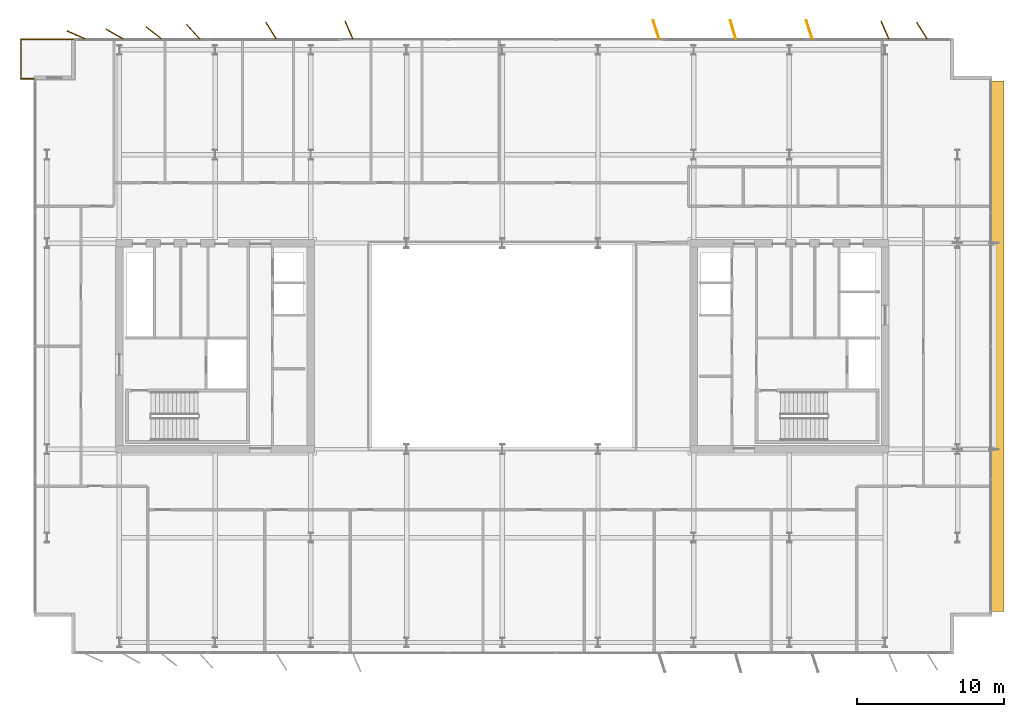
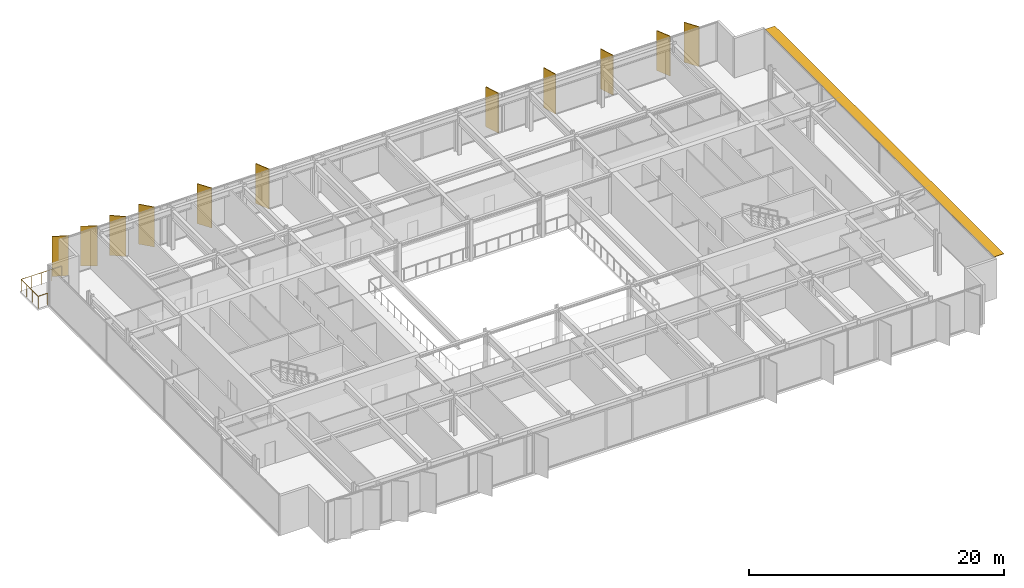
# One storey, part 21 of 21: 12 shading devices, 1 railing.
"""IFC4 building model written with IfcOpenShell, lengths in metres."""

from ifc_helpers import new_model, si_unit, direction, frame, origin, origin_2d, place, context, subcontext, project, spatial, polyline, rectangle, circle, outline, extrude, material, layer, layer_set, type_object, element, save


model = new_model("IFC4")

# Units and contexts
model_context = context("Model", 3, precision=1e-05, world=origin(), true_north=direction((0.0, 1.0)))
body_context = subcontext(model_context, "Body", "Model", "MODEL_VIEW")
ifc_project = project(units=[si_unit("LENGTHUNIT", "METRE"), si_unit("AREAUNIT", "SQUARE_METRE"), si_unit("VOLUMEUNIT", "CUBIC_METRE"), si_unit("PLANEANGLEUNIT", "RADIAN"), si_unit("MASSUNIT", "GRAM", prefix="KILO")], contexts=[model_context])

# Site, building, storey
site_placement = place(None, origin())
site = spatial("IfcSite", under=ifc_project, at=site_placement, CompositionType="ELEMENT")
building_placement = place(site_placement, origin())
building = spatial("IfcBuilding", under=site, at=building_placement, Name="Putna Gate Headquarters", CompositionType="ELEMENT")
storey_placement = place(building_placement, frame((0.0, 0.0, 278.39990234375)))
storey = spatial("IfcBuildingStorey", under=building, at=storey_placement, Name="L70", CompositionType="ELEMENT", Elevation=278.39990234375)

# Railing
ifc_material_1 = material(Name="Anodised bronze steel and laminated glass guardrail", Category="steel")
railing_type = type_object("IfcRailingType", Name="RAIL-TERR-GUARD-1150", PredefinedType="GUARDRAIL", material=ifc_material_1)
railing_placement = place(storey_placement, frame((7.199951171875, 44.159912109375, 0.0)))
element("IfcRailing", 1, at=railing_placement, inside=storey, type_object=railing_type, Name="L70 Spiral Sky Terrace Guardrail NW", PredefinedType="GUARDRAIL", context=body_context, shape_type="SweptSolid", body=[
    extrude(circle(Radius=0.02392578125, at=origin_2d()), frame((0.0, 0.0, 1.1259765625), z_axis=(-1.0, 0.0, 0.0), x_axis=(0.0, -1.0, 0.0)), (0.0, 0.0, 1.0), 0.889892578125),
    extrude(circle(Radius=0.02392578125, at=origin_2d()), frame((-0.889892578125, 0.0, 1.1259765625), z_axis=(0.0, 1.0, 0.0), x_axis=(-1.0, 0.0, 0.0)), (0.0, 0.0, 1.0), 2.68017578125),
    extrude(circle(Radius=0.02392578125, at=origin_2d()), frame((-0.889892578125, 2.68017578125, 1.1259765625), z_axis=(1.0, 0.0, 0.0), x_axis=(0.0, 1.0, 0.0)), (0.0, 0.0, 1.0), 3.68994140625),
    extrude(circle(Radius=0.02099609375, at=origin_2d()), origin(), (0.0, 0.0, 1.0), 1.101806640625),
    extrude(circle(Radius=0.02099609375, at=origin_2d()), frame((-0.889892578125, 0.0, 0.0)), (0.0, 0.0, 1.0), 1.101806640625),
    extrude(circle(Radius=0.02099609375, at=origin_2d()), frame((-0.889892578125, 0.893310546875, 0.0)), (0.0, 0.0, 1.0), 1.101806640625),
    extrude(circle(Radius=0.02099609375, at=origin_2d()), frame((-0.889892578125, 1.786865234375, 0.0)), (0.0, 0.0, 1.0), 1.101806640625),
    extrude(circle(Radius=0.02099609375, at=origin_2d()), frame((-0.889892578125, 2.68017578125, 0.0)), (0.0, 0.0, 1.0), 1.101806640625),
    extrude(circle(Radius=0.02099609375, at=origin_2d()), frame((0.03271484375, 2.68017578125, 0.0)), (0.0, 0.0, 1.0), 1.101806640625),
    extrude(circle(Radius=0.02099609375, at=origin_2d()), frame((0.955078125, 2.68017578125, 0.0)), (0.0, 0.0, 1.0), 1.101806640625),
    extrude(circle(Radius=0.02099609375, at=origin_2d()), frame((1.87744140625, 2.68017578125, 0.0)), (0.0, 0.0, 1.0), 1.101806640625),
    extrude(circle(Radius=0.02099609375, at=origin_2d()), frame((2.800048828125, 2.68017578125, 0.0)), (0.0, 0.0, 1.0), 1.101806640625),
])

# Shading devices
ifc_material_2 = material(Name="Anodised architectural bronze aluminium fin", Category="aluminium")
ifc_layer_1 = layer(ifc_material_2, 0.06494140625)
ifc_layer_set_1 = layer_set([ifc_layer_1], Name="Anodised architectural bronze aluminium fin")
shading_device_type_1 = type_object("IfcShadingDeviceType", Name="SHADE-BRONZE-FIN-1320", PredefinedType="USERDEFINED", material=ifc_layer_set_1)
for number, where, z_axis, x_axis, name in (
    (2, (10.047119140625, 47.143310546875, -0.02001953125), (0.0, 0.0, 1.0), (-0.913687379856, 0.40641773078, 0.0), "L70 Bronze Vertical Shading Fin N1"),
    (3, (12.67626953125, 47.201171875, -0.02001953125), (0.0, 0.0, 1.0), (-0.869322458298, 0.494245347472, 0.0), "L70 Bronze Vertical Shading Fin N2"),
    (4, (15.330322265625, 47.28173828125, -0.02001953125), (0.0, 0.0, 1.0), (-0.787473187632, 0.616348909921, 0.0), "L70 Bronze Vertical Shading Fin N3"),
    (5, (18.00830078125, 47.365478515625, -0.02001953125), (0.0, 0.0, 1.0), (-0.669130606359, 0.743144825477, 0.0), "L70 Bronze Vertical Shading Fin N4"),
    (6, (23.2998046875, 47.434326171875, -0.02001953125), (0.0, 0.0, 1.0), (-0.530659123936, 0.847585331506, 0.0), "L70 Bronze Vertical Shading Fin N5"),
    (7, (28.585693359375, 47.479736328125, -0.02001953125), (0.0, 0.0, 1.0), (-0.400668879095, 0.916222925562, 0.0), "L70 Bronze Vertical Shading Fin N6"),
    (8, (49.4462890625, 47.502685546875, -0.02001953125), (0.0, 0.0, 1.0), (-0.308684994204, 0.951164325631, 0.0), "L70 Bronze Vertical Shading Fin N7"),
    (9, (54.668212890625, 47.509521484375, -0.02001953125), (0.0, 0.0, 1.0), (-0.275637355817, 0.961261695938, 0.0), "L70 Bronze Vertical Shading Fin N8"),
    (10, (59.84619140625, 47.502685546875, -0.02001953125), (0.0, 0.0, 1.0), (-0.308684994204, 0.951164325631, 0.0), "L70 Bronze Vertical Shading Fin N9"),
    (11, (64.985595703125, 47.479736328125, -0.02001953125), (0.0, 0.0, 1.0), (-0.400668879095, 0.916222925562, 0.0), "L70 Bronze Vertical Shading Fin N10"),
    (12, (67.499755859375, 47.434326171875, -0.02001953125), (0.0, 0.0, 1.0), (-0.530659123936, 0.847585331506, 0.0), "L70 Bronze Vertical Shading Fin N11"),
):
    element("IfcShadingDevice", number, at=place(storey_placement, frame(where, z_axis=z_axis, x_axis=x_axis)), inside=storey, type_object=shading_device_type_1, Name=name, ObjectType="FIN", PredefinedType="USERDEFINED", context=body_context, shape_type="SweptSolid", body=[
        extrude(rectangle(XDim=1.320068359375, YDim=0.06494140625, at=origin_2d()), origin(), (0.0, 0.0, 1.0), 3.827880859375),
    ])
ifc_material_3 = material(Name="Anodised architectural bronze sunshade blade", Category="aluminium")
ifc_layer_2 = layer(ifc_material_3, 0.06005859375)
ifc_layer_set_2 = layer_set([ifc_layer_2], Name="Anodised architectural bronze sunshade blade")
shading_device_type_2 = type_object("IfcShadingDeviceType", Name="SHADE-SAIL-BLADE-900", PredefinedType="USERDEFINED", material=ifc_layer_set_2)
shading_device_placement = place(storey_placement, frame((0.0, 0.0, 3.733154296875)))
element("IfcShadingDevice", 13, at=shading_device_placement, inside=storey, type_object=shading_device_type_2, Name="L70 East Sail Horizontal Bronze Sunshade Blade", ObjectType="SUNSHADE", PredefinedType="USERDEFINED", context=body_context, shape_type="SweptSolid", body=[
    extrude(outline(polyline([(72.171142578125, 8.0), (73.071044921875, 8.0), (73.071044921875, 44.0), (72.171142578125, 44.0), (72.171142578125, 8.0)])), origin(), (0.0, 0.0, 1.0), 0.06005859375),
])

save(model, "model.ifc")
